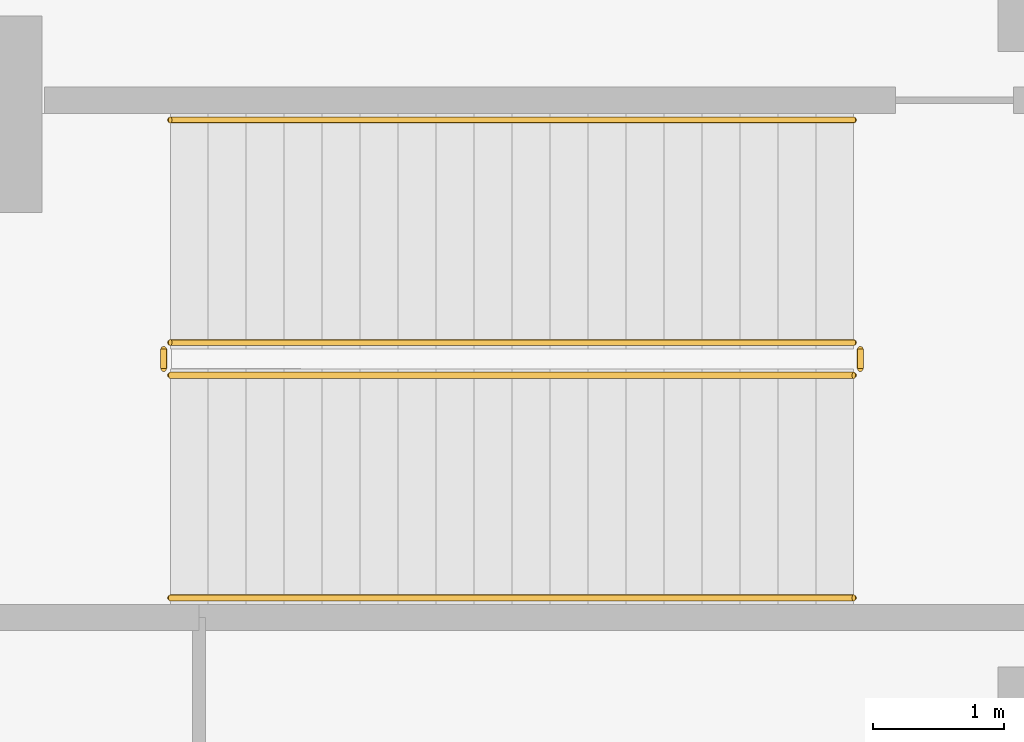
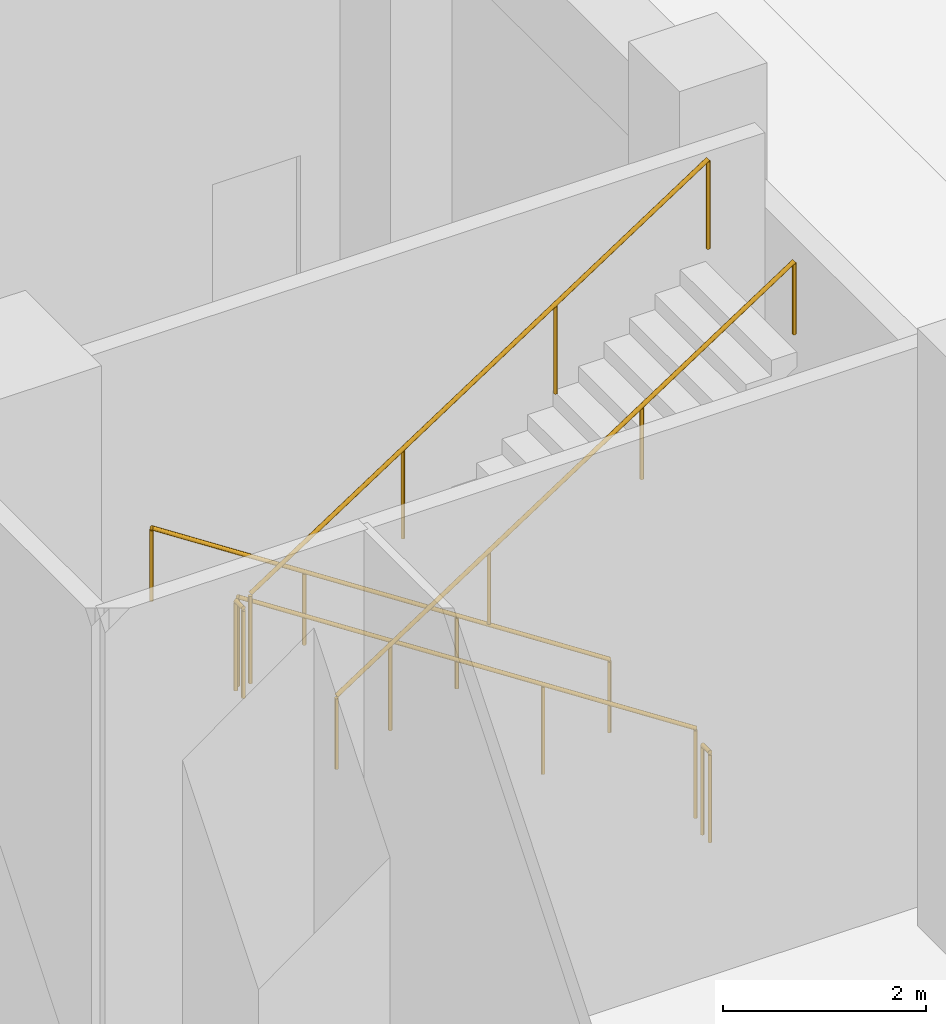
# One storey, part 23 of 27: 6 railings.
"""IFC4 building model written with IfcOpenShell, lengths in metres."""

from ifc_helpers import new_model, si_unit, direction, frame, origin, origin_2d, place, context, subcontext, project, spatial, circle, extrude, material, type_object, element, save


model = new_model("IFC4")

# Units and contexts
model_context = context("Model", 3, precision=1e-05, world=origin(), true_north=direction((0.0, 1.0)))
body_context = subcontext(model_context, "Body", "Model", "MODEL_VIEW")
ifc_project = project(units=[si_unit("LENGTHUNIT", "METRE"), si_unit("AREAUNIT", "SQUARE_METRE"), si_unit("VOLUMEUNIT", "CUBIC_METRE"), si_unit("PLANEANGLEUNIT", "RADIAN"), si_unit("MASSUNIT", "GRAM", prefix="KILO")], contexts=[model_context])

# Site, building, storey
site_placement = place(None, origin())
site = spatial("IfcSite", under=ifc_project, at=site_placement, CompositionType="ELEMENT")
building_placement = place(site_placement, origin())
building = spatial("IfcBuilding", under=site, at=building_placement, Name="Meshkara Civic Tower", CompositionType="ELEMENT")
storey_placement = place(building_placement, origin())
storey = spatial("IfcBuildingStorey", under=building, at=storey_placement, Name="L00", CompositionType="ELEMENT", Elevation=0.0)

# Railings
ifc_material_1 = material(Name="Steel guard", Category="steel")
railing_type_1 = type_object("IfcRailingType", Name="Podium stair guard 1100", PredefinedType="GUARDRAIL", material=ifc_material_1)
railing_1_placement = place(storey_placement, frame((40.300048828125, 24.375, 0.189453125)))
element("IfcRailing", 1, at=railing_1_placement, inside=storey, type_object=railing_type_1, Name="L00 PS5 stair guard 1", PredefinedType="GUARDRAIL", context=body_context, shape_type="SweptSolid", body=[
    extrude(circle(Radius=0.02392578125, at=origin_2d()), frame((0.0, 0.0, 1.076171875), z_axis=(-0.837146837253, 0.0, 0.546978219747), x_axis=(0.0, -1.0, 0.0)), (0.0, 0.0, 1.0), 6.2353515625),
    extrude(circle(Radius=0.02099609375, at=origin_2d()), origin(), (0.0, 0.0, 1.0), 1.052001953125),
    extrude(circle(Radius=0.02099609375, at=origin_2d()), frame((-1.739990234375, 0.0, 1.136962890625)), (0.0, 0.0, 1.0), 1.052001953125),
    extrude(circle(Radius=0.02099609375, at=origin_2d()), frame((-3.47998046875, 0.0, 2.273681640625)), (0.0, 0.0, 1.0), 1.052001953125),
    extrude(circle(Radius=0.02099609375, at=origin_2d()), frame((-5.219970703125, 0.0, 3.41064453125)), (0.0, 0.0, 1.0), 1.052001953125),
])
railing_2_placement = place(storey_placement, frame((35.030029296875, 24.324951171875, 3.60009765625)))
element("IfcRailing", 2, at=railing_2_placement, inside=storey, type_object=railing_type_1, Name="L00 PS5 stair guard 2", PredefinedType="GUARDRAIL", context=body_context, shape_type="SweptSolid", body=[
    extrude(circle(Radius=0.02392578125, at=origin_2d()), frame((0.0, 0.0, 1.076171875), z_axis=(0.0, -1.0, 0.0), x_axis=(1.0, 0.0, 0.0)), (0.0, 0.0, 1.0), 0.14990234375),
    extrude(circle(Radius=0.02099609375, at=origin_2d()), origin(), (0.0, 0.0, 1.0), 1.052001953125),
    extrude(circle(Radius=0.02099609375, at=origin_2d()), frame((0.0, -0.14990234375, 0.0)), (0.0, 0.0, 1.0), 1.052001953125),
])
railing_3_placement = place(storey_placement, frame((35.080078125, 24.125, 3.78955078125)))
element("IfcRailing", 3, at=railing_3_placement, inside=storey, type_object=railing_type_1, Name="L00 PS5 stair guard 3", PredefinedType="GUARDRAIL", context=body_context, shape_type="SweptSolid", body=[
    extrude(circle(Radius=0.02392578125, at=origin_2d()), frame((0.0, 0.0, 1.076171875), z_axis=(0.837164765742, 0.0, 0.546950779321), x_axis=(0.0, 1.0, 0.0)), (0.0, 0.0, 1.0), 6.2353515625),
    extrude(circle(Radius=0.02099609375, at=origin_2d()), origin(), (0.0, 0.0, 1.0), 1.052001953125),
    extrude(circle(Radius=0.02099609375, at=origin_2d()), frame((1.739990234375, 0.0, 1.13671875)), (0.0, 0.0, 1.0), 1.052001953125),
    extrude(circle(Radius=0.02099609375, at=origin_2d()), frame((3.47998046875, 0.0, 2.273681640625)), (0.0, 0.0, 1.0), 1.052001953125),
    extrude(circle(Radius=0.02099609375, at=origin_2d()), frame((5.219970703125, 0.0, 3.410400390625)), (0.0, 0.0, 1.0), 1.052001953125),
])
railing_4_placement = place(storey_placement, frame((40.35009765625, 24.324951171875, 0.0)))
element("IfcRailing", 4, at=railing_4_placement, inside=storey, type_object=railing_type_1, Name="L00 PS5 stair guard 4", PredefinedType="GUARDRAIL", context=body_context, shape_type="SweptSolid", body=[
    extrude(circle(Radius=0.02392578125, at=origin_2d()), frame((0.0, 0.0, 1.076171875), z_axis=(0.0, -1.0, 0.0), x_axis=(1.0, 0.0, 0.0)), (0.0, 0.0, 1.0), 0.14990234375),
    extrude(circle(Radius=0.02099609375, at=origin_2d()), origin(), (0.0, 0.0, 1.0), 1.052001953125),
    extrude(circle(Radius=0.02099609375, at=origin_2d()), frame((0.0, -0.14990234375, 0.0)), (0.0, 0.0, 1.0), 1.052001953125),
])
ifc_material_2 = material(Name="Steel handrail", Category="steel")
railing_type_2 = type_object("IfcRailingType", Name="Podium stair handrail 900", PredefinedType="HANDRAIL", material=ifc_material_2)
railing_5_placement = place(storey_placement, frame((40.300048828125, 26.074951171875, 0.189453125)))
element("IfcRailing", 5, at=railing_5_placement, inside=storey, type_object=railing_type_2, Name="L00 PS5 stair handrail 1", PredefinedType="HANDRAIL", context=body_context, shape_type="SweptSolid", body=[
    extrude(circle(Radius=0.02392578125, at=origin_2d()), frame((0.0, 0.0, 0.8759765625), z_axis=(-0.837146837253, 0.0, 0.546978219747), x_axis=(0.0, -1.0, 0.0)), (0.0, 0.0, 1.0), 6.2353515625),
    extrude(circle(Radius=0.02099609375, at=origin_2d()), origin(), (0.0, 0.0, 1.0), 0.851806640625),
    extrude(circle(Radius=0.02099609375, at=origin_2d()), frame((-1.739990234375, 0.0, 1.136962890625)), (0.0, 0.0, 1.0), 0.851806640625),
    extrude(circle(Radius=0.02099609375, at=origin_2d()), frame((-3.47998046875, 0.0, 2.273681640625)), (0.0, 0.0, 1.0), 0.851806640625),
    extrude(circle(Radius=0.02099609375, at=origin_2d()), frame((-5.219970703125, 0.0, 3.41064453125)), (0.0, 0.0, 1.0), 0.851806640625),
])
railing_6_placement = place(storey_placement, frame((35.080078125, 22.425048828125, 3.78955078125)))
element("IfcRailing", 6, at=railing_6_placement, inside=storey, type_object=railing_type_2, Name="L00 PS5 stair handrail 2", PredefinedType="HANDRAIL", context=body_context, shape_type="SweptSolid", body=[
    extrude(circle(Radius=0.02392578125, at=origin_2d()), frame((0.0, 0.0, 0.8759765625), z_axis=(0.837164765742, 0.0, 0.546950779321), x_axis=(0.0, 1.0, 0.0)), (0.0, 0.0, 1.0), 6.2353515625),
    extrude(circle(Radius=0.02099609375, at=origin_2d()), origin(), (0.0, 0.0, 1.0), 0.851806640625),
    extrude(circle(Radius=0.02099609375, at=origin_2d()), frame((1.739990234375, 0.0, 1.13671875)), (0.0, 0.0, 1.0), 0.851806640625),
    extrude(circle(Radius=0.02099609375, at=origin_2d()), frame((3.47998046875, 0.0, 2.273681640625)), (0.0, 0.0, 1.0), 0.851806640625),
    extrude(circle(Radius=0.02099609375, at=origin_2d()), frame((5.219970703125, 0.0, 3.410400390625)), (0.0, 0.0, 1.0), 0.851806640625),
])

save(model, "model.ifc")
